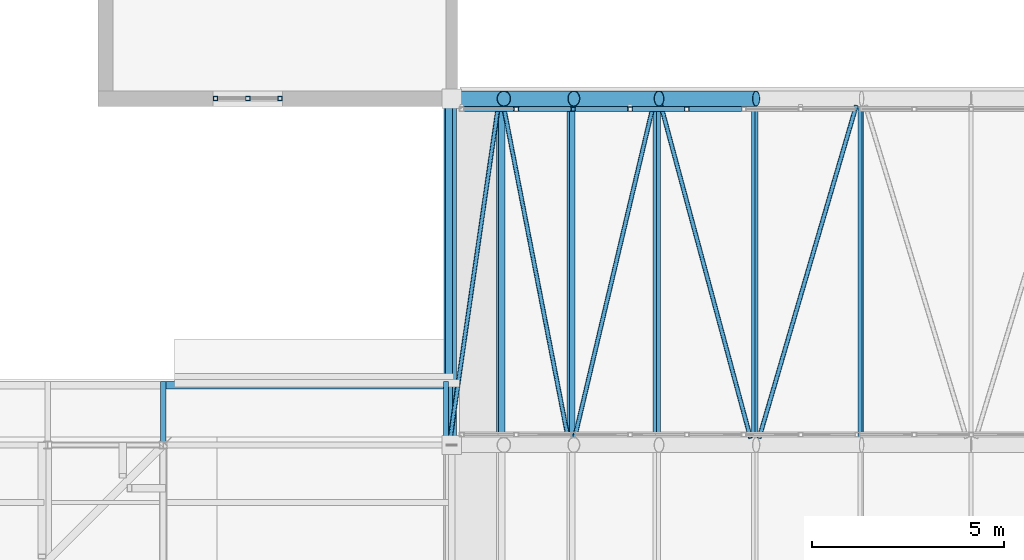
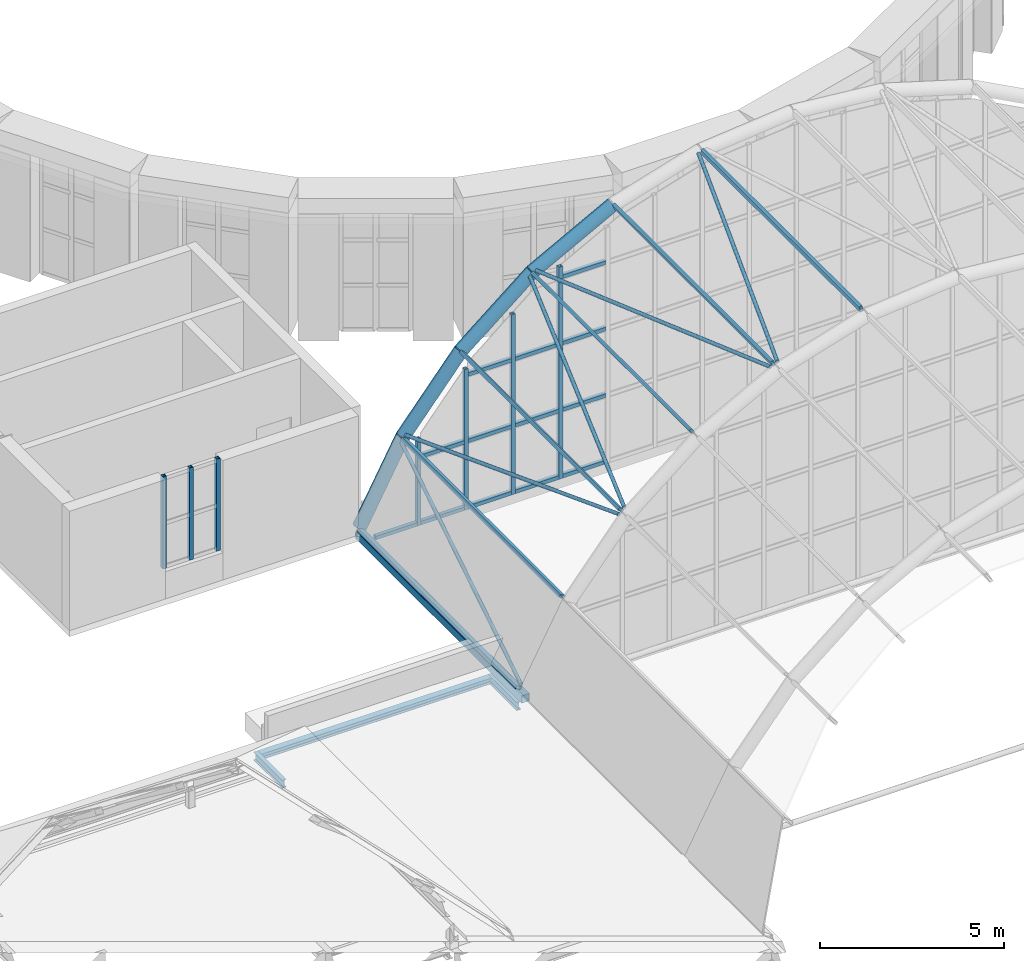
# One storey, part 53 of 121: 35 members, 4 beams, 2 elements without a shape of their own.
"""IFC4 building model written with IfcOpenShell, lengths in metres."""

from ifc_helpers import new_model, si_unit, direction, frame, origin, origin_2d, place, context, subcontext, project, spatial, hollow_rectangle, hollow_circle, i_section, extrude, material, material_profile, profile_set, type_object, element, aggregate, save


model = new_model("IFC4")

# Units and contexts
model_context = context("Model", 3, precision=1e-05, world=origin(), true_north=direction((0.0, 1.0)))
body_context = subcontext(model_context, "Body", "Model", "MODEL_VIEW")
ifc_project = project(units=[si_unit("LENGTHUNIT", "METRE"), si_unit("AREAUNIT", "SQUARE_METRE"), si_unit("VOLUMEUNIT", "CUBIC_METRE"), si_unit("PLANEANGLEUNIT", "RADIAN"), si_unit("MASSUNIT", "GRAM", prefix="KILO")], contexts=[model_context])

# Site, building, storey
site_placement = place(None, origin())
site = spatial("IfcSite", under=ifc_project, at=site_placement, CompositionType="ELEMENT")
building_placement = place(site_placement, origin())
building = spatial("IfcBuilding", under=site, at=building_placement, Name="Golden Quay Civic Hall", CompositionType="ELEMENT")
storey_placement = place(building_placement, frame((0.0, 0.0, 18.60009765625)))
storey = spatial("IfcBuildingStorey", under=building, at=storey_placement, Name="L04", CompositionType="ELEMENT", Elevation=18.60009765625)

# Beams
ifc_material_1 = material(Name="Steel S355", Category="steel")
ifc_material_profile_1 = material_profile(ifc_material_1, i_section(OverallWidth=0.199951171875, OverallDepth=0.18994140625, WebThickness=0.006591796875, FlangeThickness=0.010009765625, FilletRadius=0.01806640625, at=origin_2d()), Name="HEA 200")
ifc_profile_set_1 = profile_set([ifc_material_profile_1], Name="Steel S355")
beam_type_1 = type_object("IfcBeamType", Name="Eave edge beam HEA 200", PredefinedType="BEAM", material=ifc_profile_set_1)
beam_1_placement = place(storey_placement, frame((64.5673828125, 55.550048828125, -0.34521484375), z_axis=(1.0, 0.0, 0.0), x_axis=(0.0, 1.0, 0.0)))
element("IfcBeam", 1, at=beam_1_placement, inside=storey, type_object=beam_type_1, Name="Eave edge beam HEA 200 L04 9", PredefinedType="BEAM", context=body_context, shape_type="SweptSolid", body=[
    extrude(i_section(OverallWidth=0.199951171875, OverallDepth=0.18994140625, WebThickness=0.006591796875, FlangeThickness=0.010009765625, FilletRadius=0.01806640625, at=origin_2d()), origin(), (0.0, 0.0, 1.0), 7.215087890625),
])
ifc_material_2 = material(Name="Steel S355", Category="steel")
ifc_material_profile_2 = material_profile(ifc_material_2, i_section(OverallWidth=0.135009765625, OverallDepth=0.27001953125, WebThickness=0.006591796875, FlangeThickness=0.01025390625, FilletRadius=0.014892578125, at=origin_2d()), Name="IPE 270")
ifc_profile_set_2 = profile_set([ifc_material_profile_2], Name="Steel S355")
beam_type_2 = type_object("IfcBeamType", Name="Eave stub IPE 270", PredefinedType="BEAM", material=ifc_profile_set_2)
for number, where, z_axis, x_axis, name in (
    (2, (64.5, 54.094970703125, -0.385009765625), (0.0, 1.0, 0.0), (-1.0, 0.0, 0.0), "Eave stub IPE 270 L04 10"),
    (3, (71.85009765625, 54.094970703125, -0.385009765625), (0.0, 1.0, 0.0), (-1.0, 0.0, 0.0), "Eave stub IPE 270 L04 11"),
):
    element("IfcBeam", number, at=place(storey_placement, frame(where, z_axis=z_axis, x_axis=x_axis)), inside=storey, type_object=beam_type_2, Name=name, PredefinedType="BEAM", context=body_context, shape_type="SweptSolid", body=[
        extrude(i_section(OverallWidth=0.135009765625, OverallDepth=0.27001953125, WebThickness=0.006591796875, FlangeThickness=0.01025390625, FilletRadius=0.014892578125, at=origin_2d()), origin(), (0.0, 0.0, 1.0), 1.554931640625),
    ])

# Curtain wall, members
ifc_material_3 = material(Name="Fire-resisting glass and steel", Category="steel")
curtain_wall_type_1 = type_object("IfcCurtainWallType", Name="Fire-resisting glazed stair curtain wall EI 120", PredefinedType="NOTDEFINED", material=ifc_material_3)
curtain_wall_1_placement = place(storey_placement, origin())
curtain_wall_1 = element("IfcCurtainWall", 4, at=curtain_wall_1_placement, inside=storey, type_object=curtain_wall_type_1, Name="CW4 stair curtain wall", PredefinedType="NOTDEFINED")
ifc_material_4 = material(Name="Steel S355", Category="steel")
ifc_material_profile_3 = material_profile(ifc_material_4, hollow_rectangle(XDim=0.1201171875, YDim=0.1201171875, WallThickness=0.012451171875, at=origin_2d()), Name="SHS 120x120x12.5")
ifc_profile_set_3 = profile_set([ifc_material_profile_3], Name="Steel S355")
member_type_1 = type_object("IfcMemberType", Name="Fire-resisting steel stair mullion 120 x 120", PredefinedType="MULLION", material=ifc_profile_set_3)
member_1_placement = place(storey_placement, frame((65.860107421875, 63.0, 0.89990234375), z_axis=(0.0, 0.0, 1.0), x_axis=(0.0, 1.0, 0.0)))
member_1 = element("IfcMember", 5, at=member_1_placement, type_object=member_type_1, Name="CW4 mullion 1", PredefinedType="MULLION", context=body_context, shape_type="SweptSolid", body=[
    extrude(hollow_rectangle(XDim=0.1201171875, YDim=0.1201171875, WallThickness=0.012451171875, at=origin_2d()), origin(), (0.0, 0.0, 1.0), 3.050048828125),
])
member_2_placement = place(storey_placement, frame((66.699951171875, 63.0, 0.89990234375), z_axis=(0.0, 0.0, 1.0), x_axis=(0.0, 1.0, 0.0)))
member_2 = element("IfcMember", 6, at=member_2_placement, type_object=member_type_1, Name="CW4 mullion 2", PredefinedType="MULLION", context=body_context, shape_type="SweptSolid", body=[
    extrude(hollow_rectangle(XDim=0.1201171875, YDim=0.1201171875, WallThickness=0.012451171875, at=origin_2d()), origin(), (0.0, 0.0, 1.0), 3.050048828125),
])
member_3_placement = place(storey_placement, frame((67.5400390625, 63.0, 0.89990234375), z_axis=(0.0, 0.0, 1.0), x_axis=(0.0, 1.0, 0.0)))
member_3 = element("IfcMember", 7, at=member_3_placement, type_object=member_type_1, Name="CW4 mullion 3", PredefinedType="MULLION", context=body_context, shape_type="SweptSolid", body=[
    extrude(hollow_rectangle(XDim=0.1201171875, YDim=0.1201171875, WallThickness=0.012451171875, at=origin_2d()), origin(), (0.0, 0.0, 1.0), 3.050048828125),
])
aggregate(curtain_wall_1, [member_1, member_2, member_3])

# Members
ifc_material_5 = material(Name="Steel S355", Category="steel")
ifc_material_profile_4 = material_profile(ifc_material_5, hollow_circle(Radius=0.203125, WallThickness=0.01611328125, at=origin_2d()), Name="CHS 406.4x16")
ifc_profile_set_4 = profile_set([ifc_material_profile_4], Name="Steel S355")
member_type_2 = type_object("IfcMemberType", Name="Steel arch rib CHS 406.4x16", PredefinedType="USERDEFINED", material=ifc_profile_set_4)
for number, where, z_axis, x_axis, name in (
    (8, (72.0, 63.0, 0.099853515625), (0.473092307375, 0.0, 0.881012865231), (0.0, 1.0, 0.0), "Arch rib 8 segment 1"),
    (9, (73.35400390625, 63.0, 2.621337890625), (0.635608575128, 0.0, 0.772011489049), (0.0, 1.0, 0.0), "Arch rib 8 segment 2"),
):
    element("IfcMember", number, at=place(storey_placement, frame(where, z_axis=z_axis, x_axis=x_axis)), inside=storey, type_object=member_type_2, Name=name, ObjectType="ARCH RIB", PredefinedType="USERDEFINED", context=body_context, shape_type="SweptSolid", body=[
        extrude(hollow_circle(Radius=0.203125, WallThickness=0.01611328125, at=origin_2d()), origin(), (0.0, 0.0, 1.0), 2.862060546875),
    ])
for number, where, z_axis, x_axis, name in (
    (10, (75.173095703125, 63.0, 4.830810546875), (0.773786223221, 0.0, 0.633446825514), (0.0, 1.0, 0.0), "Arch rib 8 segment 3"),
    (11, (77.387451171875, 63.0, 6.6435546875), (0.882326964097, 0.0, 0.470636939082), (0.0, 1.0, 0.0), "Arch rib 8 segment 4"),
):
    element("IfcMember", number, at=place(storey_placement, frame(where, z_axis=z_axis, x_axis=x_axis)), inside=storey, type_object=member_type_2, Name=name, ObjectType="ARCH RIB", PredefinedType="USERDEFINED", context=body_context, shape_type="SweptSolid", body=[
        extrude(hollow_circle(Radius=0.203125, WallThickness=0.01611328125, at=origin_2d()), origin(), (0.0, 0.0, 1.0), 2.86181640625),
    ])
ifc_material_6 = material(Name="Steel S355", Category="steel")
ifc_material_profile_5 = material_profile(ifc_material_6, hollow_circle(Radius=0.05712890625, WallThickness=0.00634765625, at=origin_2d()), Name="CHS 114.3x6.3")
ifc_profile_set_5 = profile_set([ifc_material_profile_5], Name="Steel S355")
member_type_3 = type_object("IfcMemberType", Name="Steel bracing rod CHS 114.3x6.3", PredefinedType="BRACE", material=ifc_profile_set_5)
for number, where, z_axis, x_axis, name in (
    (12, (71.961181640625, 54.175048828125, 0.24560546875), (0.138180562314, 0.9563854899, 0.257357585682), (-0.989723086129, 0.142997247471, 0.0), "Vault bracing north 1"),
    (13, (73.34423828125, 62.824951171875, 2.771728515625), (0.185661631915, -0.956381450821, 0.225531104195), (0.981673313641, 0.190571522755, 0.0), "Vault bracing north 2"),
    (14, (75.192626953125, 54.175048828125, 4.980224609375), (0.226043817582, 0.956380756741, 0.185040645991), (-0.973186848688, 0.230015994099, 0.0), "Vault bracing north 3"),
    (15, (77.43603515625, 62.824951171875, 6.786376953125), (0.257735343347, -0.956384919854, 0.137478645126), (0.965553106332, 0.260206069976, 0.0), "Vault bracing north 4"),
    (16, (79.988037109375, 54.175048828125, 8.12109375), (0.279573306593, 0.95638527108, 0.084652108668), (-0.959830517224, 0.280580430903, 0.0), "Vault bracing north 5"),
):
    element("IfcMember", number, at=place(storey_placement, frame(where, z_axis=z_axis, x_axis=x_axis)), inside=storey, type_object=member_type_3, Name=name, PredefinedType="BRACE", context=body_context, shape_type="SweptSolid", body=[
        extrude(hollow_circle(Radius=0.05712890625, WallThickness=0.00634765625, at=origin_2d()), origin(), (0.0, 0.0, 1.0), 9.04443359375),
    ])

# Curtain wall, members
ifc_material_7 = material(Name="Glass and aluminium", Category="aluminium")
curtain_wall_type_2 = type_object("IfcCurtainWallType", Name="Glazed curtain wall 1500 module", PredefinedType="NOTDEFINED", material=ifc_material_7)
curtain_wall_2_placement = place(storey_placement, origin())
curtain_wall_2 = element("IfcCurtainWall", 17, at=curtain_wall_2_placement, inside=storey, type_object=curtain_wall_type_2, Name="Curtain wall tympanum north", PredefinedType="NOTDEFINED")
ifc_material_8 = material(Name="Steel S355", Category="steel")
ifc_material_profile_6 = material_profile(ifc_material_8, hollow_rectangle(XDim=0.1201171875, YDim=0.1201171875, WallThickness=0.008056640625, at=origin_2d()), Name="SHS 120x120x8")
ifc_profile_set_6 = profile_set([ifc_material_profile_6], Name="Steel S355")
member_type_4 = type_object("IfcMemberType", Name="Steel mullion SHS 120x120x8", PredefinedType="MULLION", material=ifc_profile_set_6)
member_4_placement = place(storey_placement, frame((73.677734375, 62.72998046875, -0.25), z_axis=(0.0, 0.0, 1.0), x_axis=(0.0, 1.0, 0.0)))
member_4 = element("IfcMember", 18, at=member_4_placement, type_object=member_type_4, Name="Tympanum mullion 2", PredefinedType="MULLION", context=body_context, shape_type="SweptSolid", body=[
    extrude(hollow_rectangle(XDim=0.1201171875, YDim=0.1201171875, WallThickness=0.008056640625, at=origin_2d()), origin(), (0.0, 0.0, 1.0), 2.8720703125),
])
member_5_placement = place(storey_placement, frame((75.155517578125, 62.72998046875, -0.25), z_axis=(0.0, 0.0, 1.0), x_axis=(0.0, 1.0, 0.0)))
member_5 = element("IfcMember", 19, at=member_5_placement, type_object=member_type_4, Name="Tympanum mullion 3", PredefinedType="MULLION", context=body_context, shape_type="SweptSolid", body=[
    extrude(hollow_rectangle(XDim=0.1201171875, YDim=0.1201171875, WallThickness=0.008056640625, at=origin_2d()), origin(), (0.0, 0.0, 1.0), 4.6669921875),
])
member_6_placement = place(storey_placement, frame((76.63330078125, 62.72998046875, -0.25), z_axis=(0.0, 0.0, 1.0), x_axis=(0.0, 1.0, 0.0)))
member_6 = element("IfcMember", 20, at=member_6_placement, type_object=member_type_4, Name="Tympanum mullion 4", PredefinedType="MULLION", context=body_context, shape_type="SweptSolid", body=[
    extrude(hollow_rectangle(XDim=0.1201171875, YDim=0.1201171875, WallThickness=0.008056640625, at=origin_2d()), origin(), (0.0, 0.0, 1.0), 5.964599609375),
])
member_7_placement = place(storey_placement, frame((78.111083984375, 62.72998046875, -0.25), z_axis=(0.0, 0.0, 1.0), x_axis=(0.0, 1.0, 0.0)))
member_7 = element("IfcMember", 21, at=member_7_placement, type_object=member_type_4, Name="Tympanum mullion 5", PredefinedType="MULLION", context=body_context, shape_type="SweptSolid", body=[
    extrude(hollow_rectangle(XDim=0.1201171875, YDim=0.1201171875, WallThickness=0.008056640625, at=origin_2d()), origin(), (0.0, 0.0, 1.0), 7.017333984375),
])

# Members
ifc_material_9 = material(Name="Steel S355", Category="steel")
ifc_material_profile_7 = material_profile(ifc_material_9, hollow_rectangle(XDim=0.10009765625, YDim=0.199951171875, WallThickness=0.008056640625, at=origin_2d()), Name="RHS 200x100x8")
ifc_profile_set_7 = profile_set([ifc_material_profile_7], Name="Steel S355")
member_type_5 = type_object("IfcMemberType", Name="Steel purlin RHS 200x100x8", PredefinedType="PURLIN", material=ifc_profile_set_7)
for number, where, z_axis, x_axis, name in (
    (22, (71.90478515625, 54.203125, 0.1396484375), (0.0, 1.0, 0.0), (-0.384615384615, 0.0, -0.923076923077), "Purlin 7.1"),
    (23, (73.268310546875, 54.203125, 2.6787109375), (0.0, 1.0, 0.0), (-0.557018943033, 0.0, -0.830499787539), "Purlin 7.2"),
    (24, (75.10009765625, 54.203125, 4.90380859375), (0.0, 1.0, 0.0), (-0.708092289314, 0.0, -0.70611989762), "Purlin 7.3"),
    (25, (77.330322265625, 54.203125, 6.7294921875), (0.0, 1.0, 0.0), (-0.832050294338, 0.0, -0.554700196226), "Purlin 7.4"),
    (26, (79.873291015625, 54.203125, 8.0859375), (0.0, 1.0, 0.0), (-0.924146170615, 0.0, -0.382039075668), "Purlin 7.5"),
    (27, (82.631591796875, 54.203125, 8.921142578125), (0.0, 1.0, 0.0), (-0.98085324351, 0.0, -0.194748336824), "Purlin 7.6"),
):
    element("IfcMember", number, at=place(storey_placement, frame(where, z_axis=z_axis, x_axis=x_axis)), inside=storey, type_object=member_type_5, Name=name, PredefinedType="PURLIN", context=body_context, shape_type="SweptSolid", body=[
        extrude(hollow_rectangle(XDim=0.10009765625, YDim=0.199951171875, WallThickness=0.008056640625, at=origin_2d()), origin(), (0.0, 0.0, 1.0), 8.59375),
    ])

# Beam
ifc_material_10 = material(Name="Steel S355", Category="steel")
ifc_material_profile_8 = material_profile(ifc_material_10, hollow_rectangle(XDim=0.25, YDim=0.25, WallThickness=0.012451171875, at=origin_2d()), Name="SHS 250x250x12.5")
ifc_profile_set_8 = profile_set([ifc_material_profile_8], Name="Steel S355")
beam_type_3 = type_object("IfcBeamType", Name="Steel roof edge beam SHS 250x250x12.5", PredefinedType="BEAM", material=ifc_profile_set_8)
beam_2_placement = place(storey_placement, frame((72.0, 54.0, -0.125), z_axis=(0.0, 1.0, 0.0), x_axis=(-1.0, 0.0, 0.0)))
element("IfcBeam", 28, at=beam_2_placement, inside=storey, type_object=beam_type_3, Name="Roof edge beam west", PredefinedType="BEAM", context=body_context, shape_type="SweptSolid", body=[
    extrude(hollow_rectangle(XDim=0.25, YDim=0.25, WallThickness=0.012451171875, at=origin_2d()), origin(), (0.0, 0.0, 1.0), 9.0),
])

# Member
ifc_material_11 = material(Name="Steel S355", Category="steel")
ifc_material_profile_9 = material_profile(ifc_material_11, hollow_rectangle(XDim=0.1201171875, YDim=0.1201171875, WallThickness=0.008056640625, at=origin_2d()), Name="SHS 120x120x8")
ifc_profile_set_9 = profile_set([ifc_material_profile_9], Name="Steel S355")
member_type_6 = type_object("IfcMemberType", Name="Steel transom SHS 120x120x8", PredefinedType="USERDEFINED", material=ifc_profile_set_9)
member_8_placement = place(storey_placement, frame((72.320068359375, 62.72998046875, -0.190185546875), z_axis=(1.0, 0.0, 0.0), x_axis=(0.0, 1.0, 0.0)))
member_8 = element("IfcMember", 29, at=member_8_placement, type_object=member_type_6, Name="Tympanum transom 1.1", ObjectType="TRANSOM", PredefinedType="USERDEFINED", context=body_context, shape_type="SweptSolid", body=[
    extrude(hollow_rectangle(XDim=0.1201171875, YDim=0.1201171875, WallThickness=0.008056640625, at=origin_2d()), origin(), (0.0, 0.0, 1.0), 1.297607421875),
])

member_9_placement = place(storey_placement, frame((73.73779296875, 62.72998046875, -0.190185546875), z_axis=(1.0, 0.0, 0.0), x_axis=(0.0, 1.0, 0.0)))
member_9 = element("IfcMember", 30, at=member_9_placement, type_object=member_type_6, Name="Tympanum transom 2.1", ObjectType="TRANSOM", PredefinedType="USERDEFINED", context=body_context, shape_type="SweptSolid", body=[
    extrude(hollow_rectangle(XDim=0.1201171875, YDim=0.1201171875, WallThickness=0.008056640625, at=origin_2d()), origin(), (0.0, 0.0, 1.0), 1.357666015625),
])

member_10_placement = place(storey_placement, frame((73.73779296875, 62.72998046875, 2.010009765625), z_axis=(1.0, 0.0, 0.0), x_axis=(0.0, 1.0, 0.0)))
member_10 = element("IfcMember", 31, at=member_10_placement, type_object=member_type_6, Name="Tympanum transom 2.2", ObjectType="TRANSOM", PredefinedType="USERDEFINED", context=body_context, shape_type="SweptSolid", body=[
    extrude(hollow_rectangle(XDim=0.1201171875, YDim=0.1201171875, WallThickness=0.008056640625, at=origin_2d()), origin(), (0.0, 0.0, 1.0), 1.357666015625),
])

member_11_placement = place(storey_placement, frame((75.215576171875, 62.72998046875, -0.190185546875), z_axis=(1.0, 0.0, 0.0), x_axis=(0.0, 1.0, 0.0)))
member_11 = element("IfcMember", 32, at=member_11_placement, type_object=member_type_6, Name="Tympanum transom 3.1", ObjectType="TRANSOM", PredefinedType="USERDEFINED", context=body_context, shape_type="SweptSolid", body=[
    extrude(hollow_rectangle(XDim=0.1201171875, YDim=0.1201171875, WallThickness=0.008056640625, at=origin_2d()), origin(), (0.0, 0.0, 1.0), 1.357666015625),
])

member_12_placement = place(storey_placement, frame((75.215576171875, 62.72998046875, 2.010009765625), z_axis=(1.0, 0.0, 0.0), x_axis=(0.0, 1.0, 0.0)))
member_12 = element("IfcMember", 33, at=member_12_placement, type_object=member_type_6, Name="Tympanum transom 3.2", ObjectType="TRANSOM", PredefinedType="USERDEFINED", context=body_context, shape_type="SweptSolid", body=[
    extrude(hollow_rectangle(XDim=0.1201171875, YDim=0.1201171875, WallThickness=0.008056640625, at=origin_2d()), origin(), (0.0, 0.0, 1.0), 1.357666015625),
])

member_13_placement = place(storey_placement, frame((75.215576171875, 62.72998046875, 4.2099609375), z_axis=(1.0, 0.0, 0.0), x_axis=(0.0, 1.0, 0.0)))
member_13 = element("IfcMember", 34, at=member_13_placement, type_object=member_type_6, Name="Tympanum transom 3.3", ObjectType="TRANSOM", PredefinedType="USERDEFINED", context=body_context, shape_type="SweptSolid", body=[
    extrude(hollow_rectangle(XDim=0.1201171875, YDim=0.1201171875, WallThickness=0.008056640625, at=origin_2d()), origin(), (0.0, 0.0, 1.0), 1.357666015625),
])

member_14_placement = place(storey_placement, frame((76.693359375, 62.72998046875, -0.190185546875), z_axis=(1.0, 0.0, 0.0), x_axis=(0.0, 1.0, 0.0)))
member_14 = element("IfcMember", 35, at=member_14_placement, type_object=member_type_6, Name="Tympanum transom 4.1", ObjectType="TRANSOM", PredefinedType="USERDEFINED", context=body_context, shape_type="SweptSolid", body=[
    extrude(hollow_rectangle(XDim=0.1201171875, YDim=0.1201171875, WallThickness=0.008056640625, at=origin_2d()), origin(), (0.0, 0.0, 1.0), 1.357666015625),
])

member_15_placement = place(storey_placement, frame((76.693359375, 62.72998046875, 2.010009765625), z_axis=(1.0, 0.0, 0.0), x_axis=(0.0, 1.0, 0.0)))
member_15 = element("IfcMember", 36, at=member_15_placement, type_object=member_type_6, Name="Tympanum transom 4.2", ObjectType="TRANSOM", PredefinedType="USERDEFINED", context=body_context, shape_type="SweptSolid", body=[
    extrude(hollow_rectangle(XDim=0.1201171875, YDim=0.1201171875, WallThickness=0.008056640625, at=origin_2d()), origin(), (0.0, 0.0, 1.0), 1.357666015625),
])

member_16_placement = place(storey_placement, frame((76.693359375, 62.72998046875, 4.2099609375), z_axis=(1.0, 0.0, 0.0), x_axis=(0.0, 1.0, 0.0)))
member_16 = element("IfcMember", 37, at=member_16_placement, type_object=member_type_6, Name="Tympanum transom 4.3", ObjectType="TRANSOM", PredefinedType="USERDEFINED", context=body_context, shape_type="SweptSolid", body=[
    extrude(hollow_rectangle(XDim=0.1201171875, YDim=0.1201171875, WallThickness=0.008056640625, at=origin_2d()), origin(), (0.0, 0.0, 1.0), 1.357666015625),
])

member_17_placement = place(storey_placement, frame((78.171142578125, 62.72998046875, -0.190185546875), z_axis=(1.0, 0.0, 0.0), x_axis=(0.0, 1.0, 0.0)))
member_17 = element("IfcMember", 38, at=member_17_placement, type_object=member_type_6, Name="Tympanum transom 5.1", ObjectType="TRANSOM", PredefinedType="USERDEFINED", context=body_context, shape_type="SweptSolid", body=[
    extrude(hollow_rectangle(XDim=0.1201171875, YDim=0.1201171875, WallThickness=0.008056640625, at=origin_2d()), origin(), (0.0, 0.0, 1.0), 1.357666015625),
])

member_18_placement = place(storey_placement, frame((78.171142578125, 62.72998046875, 2.010009765625), z_axis=(1.0, 0.0, 0.0), x_axis=(0.0, 1.0, 0.0)))
member_18 = element("IfcMember", 39, at=member_18_placement, type_object=member_type_6, Name="Tympanum transom 5.2", ObjectType="TRANSOM", PredefinedType="USERDEFINED", context=body_context, shape_type="SweptSolid", body=[
    extrude(hollow_rectangle(XDim=0.1201171875, YDim=0.1201171875, WallThickness=0.008056640625, at=origin_2d()), origin(), (0.0, 0.0, 1.0), 1.357666015625),
])

member_19_placement = place(storey_placement, frame((78.171142578125, 62.72998046875, 4.2099609375), z_axis=(1.0, 0.0, 0.0), x_axis=(0.0, 1.0, 0.0)))
member_19 = element("IfcMember", 40, at=member_19_placement, type_object=member_type_6, Name="Tympanum transom 5.3", ObjectType="TRANSOM", PredefinedType="USERDEFINED", context=body_context, shape_type="SweptSolid", body=[
    extrude(hollow_rectangle(XDim=0.1201171875, YDim=0.1201171875, WallThickness=0.008056640625, at=origin_2d()), origin(), (0.0, 0.0, 1.0), 1.357666015625),
])

member_20_placement = place(storey_placement, frame((78.171142578125, 62.72998046875, 6.409912109375), z_axis=(1.0, 0.0, 0.0), x_axis=(0.0, 1.0, 0.0)))
member_20 = element("IfcMember", 41, at=member_20_placement, type_object=member_type_6, Name="Tympanum transom 5.4", ObjectType="TRANSOM", PredefinedType="USERDEFINED", context=body_context, shape_type="SweptSolid", body=[
    extrude(hollow_rectangle(XDim=0.1201171875, YDim=0.1201171875, WallThickness=0.008056640625, at=origin_2d()), origin(), (0.0, 0.0, 1.0), 1.357666015625),
])

aggregate(curtain_wall_2, [member_4, member_5, member_6, member_7, member_8, member_9, member_10, member_11, member_12, member_13, member_14, member_15, member_16, member_17, member_18, member_19, member_20])

save(model, "model.ifc")
